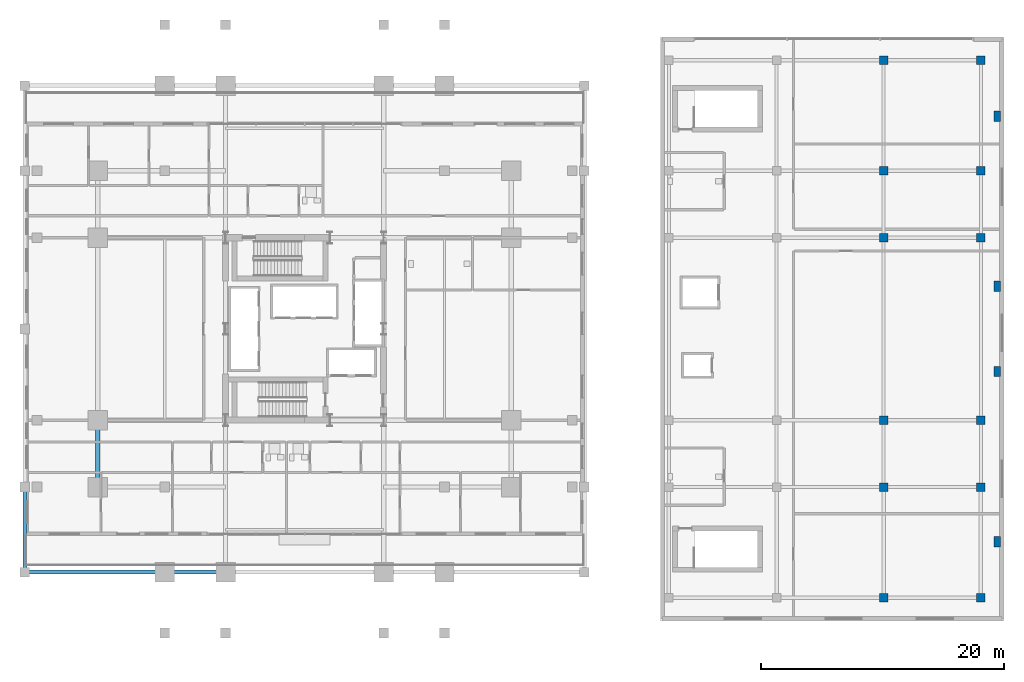
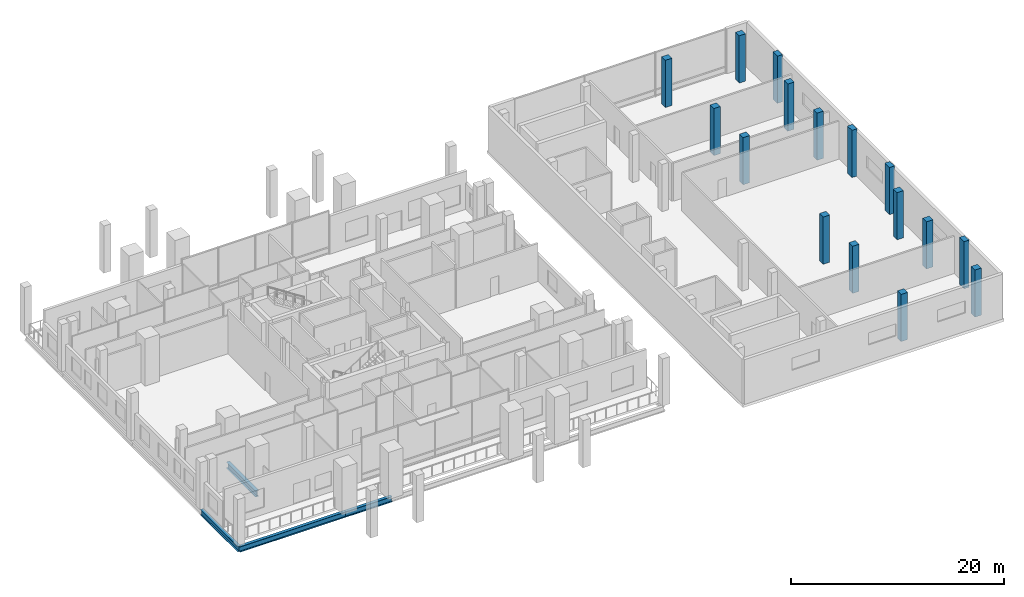
# One storey, part 2 of 25: 16 columns, 4 beams.
"""IFC4 building model written with IfcOpenShell, lengths in metres."""

import ifcopenshell
import ifcopenshell.guid

model = None  # the IFC model being written
_history = None  # IfcOwnerHistory: only IFC2X3 demands one
_inside = {}  # id of a spatial element -> (the spatial element, [elements in it])
_under = {}  # id of a project, library or spatial element -> (it, [spatial elements below it])
_declared = {}  # id of a project -> (the project, [libraries it declares])
_typed = {}  # id of a type object -> (the type object, [elements of that type])
_made_of = {}  # id of a material, layer set ... -> (it, [elements and type objects made of it])


def new_model(schema):
    """Start an empty IFC model of exactly this schema.

    Asked for "IFC4X3", IfcOpenShell would pick the latest addendum, in which some entities
    have other attributes; the version numbers below select the first issue.
    IFC2X3 requires an IfcOwnerHistory on every rooted entity: one is made here for all.
    """
    global model, _history
    if schema == "IFC4X3":
        model = ifcopenshell.file(schema_version=(4, 3, 0, 0))
    else:
        model = ifcopenshell.file(schema=schema)
    _inside.clear()
    _under.clear()
    _declared.clear()
    _typed.clear()
    _made_of.clear()
    _history = None
    if model.schema == "IFC2X3":
        org = make("IfcOrganization", Name="unknown")
        user = make(
            "IfcPersonAndOrganization",
            ThePerson=make("IfcPerson", FamilyName="unknown"),
            TheOrganization=org,
        )
        app = make(
            "IfcApplication",
            ApplicationDeveloper=org,
            Version="unknown",
            ApplicationFullName="unknown",
            ApplicationIdentifier="unknown",
        )
        _history = make(
            "IfcOwnerHistory",
            OwningUser=user,
            OwningApplication=app,
            ChangeAction="ADDED",
            CreationDate=0,
        )
    return model


def make(cls, **values):
    """One entity of the class cls with the attributes given. An attribute that is None is left unset."""
    return model.create_entity(
        cls, **{name: value for name, value in values.items() if value is not None}
    )


def rooted(cls, **values):
    """An entity with a GlobalId (a new one), such as an element, a storey or a relation."""
    return make(cls, GlobalId=ifcopenshell.guid.new(), OwnerHistory=_history, **values)


def si_unit(unit_type, name, prefix=None):
    """IfcSIUnit, for example si_unit("LENGTHUNIT", "METRE", prefix="MILLI")."""
    return make("IfcSIUnit", UnitType=unit_type, Prefix=prefix, Name=name)


def assignment(units):
    """IfcUnitAssignment: the units of a project."""
    return None if units is None else make("IfcUnitAssignment", Units=units)


def point(xyz):
    """IfcCartesianPoint."""
    return None if xyz is None else make("IfcCartesianPoint", Coordinates=xyz)


def direction(xyz):
    """IfcDirection."""
    return None if xyz is None else make("IfcDirection", DirectionRatios=xyz)


def frame(location, z_axis=None, x_axis=None):
    """IfcAxis2Placement3D, a coordinate frame: its origin and axes. An axis left out is left unset."""
    return make(
        "IfcAxis2Placement3D",
        Location=point(location),
        Axis=direction(z_axis),
        RefDirection=direction(x_axis),
    )


def frame_2d(location, x_axis=None):
    """IfcAxis2Placement2D, a coordinate frame in the plane: its origin and x axis."""
    return make(
        "IfcAxis2Placement2D", Location=point(location), RefDirection=direction(x_axis)
    )


def origin():
    """The frame at (0, 0, 0) with its axes left unset."""
    return frame((0.0, 0.0, 0.0))


def origin_2d():
    """The frame at (0, 0) in the plane with its x axis left unset."""
    return frame_2d((0.0, 0.0))


def place(relative_to, where):
    """IfcLocalPlacement: puts the frame where relative to a parent placement (None: the world)."""
    return make(
        "IfcLocalPlacement", PlacementRelTo=relative_to, RelativePlacement=where
    )


def context(
    kind, dimensions, precision=None, world=None, true_north=None, identifier=None
):
    """IfcGeometricRepresentationContext, for example the 3D "Model" context."""
    return make(
        "IfcGeometricRepresentationContext",
        ContextIdentifier=identifier,
        ContextType=kind,
        CoordinateSpaceDimension=dimensions,
        Precision=precision,
        WorldCoordinateSystem=world,
        TrueNorth=true_north,
    )


def subcontext(parent, identifier, kind, view, scale=None):
    """IfcGeometricRepresentationSubContext, for example "Body" below "Model"."""
    return make(
        "IfcGeometricRepresentationSubContext",
        ContextIdentifier=identifier,
        ContextType=kind,
        ParentContext=parent,
        TargetScale=scale,
        TargetView=view,
    )


def project(units=None, contexts=None):
    """IfcProject with its units and contexts."""
    return rooted(
        "IfcProject",
        Name="project",
        RepresentationContexts=contexts,
        UnitsInContext=assignment(units),
    )


def spatial(cls, under=None, at=None, **own):
    """A site, building, storey or space (cls), placed at a placement, below another one or the project."""
    s = rooted(cls, ObjectPlacement=at, **own)
    if under is not None:
        _under.setdefault(under.id(), (under, []))[1].append(s)
    return s


def profile(cls, at=None, kind="AREA", **sizes):
    """A parametric profile (cls). Its sizes go by their IFC names, for example OverallWidth=200.0."""
    return make(cls, ProfileType=kind, Position=at, **sizes)


def rectangle(**sizes):
    """IfcRectangleProfileDef."""
    return profile("IfcRectangleProfileDef", **sizes)


def i_section(**sizes):
    """IfcIShapeProfileDef."""
    return profile("IfcIShapeProfileDef", **sizes)


def extrude(swept, where, along, depth):
    """IfcExtrudedAreaSolid: the profile swept, set in the frame where, extruded along a direction by depth."""
    return make(
        "IfcExtrudedAreaSolid",
        SweptArea=swept,
        Position=where,
        ExtrudedDirection=direction(along),
        Depth=depth,
    )


def shape(context_of_items, identifier, shape_type, items):
    """IfcShapeRepresentation: the items that make up one representation, for example the "Body"."""
    return make(
        "IfcShapeRepresentation",
        ContextOfItems=context_of_items,
        RepresentationIdentifier=identifier,
        RepresentationType=shape_type,
        Items=items,
    )


def material(Name=None, Category=None):
    """IfcMaterial."""
    return make("IfcMaterial", Name=Name, Category=Category)


def material_profile(
    of_material, cross_section, Name=None, Category=None, Priority=None
):
    """IfcMaterialProfile: a cross section and its material."""
    return make(
        "IfcMaterialProfile",
        Name=Name,
        Material=of_material,
        Profile=cross_section,
        Priority=Priority,
        Category=Category,
    )


def profile_set(profiles, Name=None, composite=None):
    """IfcMaterialProfileSet."""
    return make(
        "IfcMaterialProfileSet",
        Name=Name,
        MaterialProfiles=profiles,
        CompositeProfile=composite,
    )


def made_of(thing, what):
    """Note that an element or type object is made of a material, layer set ...; save() writes the relation."""
    if what is not None:
        _made_of.setdefault(what.id(), (what, []))[1].append(thing)
    return thing


def type_object(cls, material=None, **own):
    """A type object (cls), such as IfcWallType, which elements share."""
    return made_of(rooted(cls, **own), material)


def element(
    cls,
    number,
    at=None,
    inside=None,
    cuts=None,
    type_object=None,
    material=None,
    context=None,
    identifier="Body",
    shape_type=None,
    held_by="IfcProductDefinitionShape",
    body=None,
    shapes=None,
    **own,
):
    """One element of the class cls, such as IfcWall. Its Tag is "e" and its number.

    at: its placement. inside: the storey or other place that contains it. cuts: it is an
    opening in that element (IfcRelVoidsElement). A single representation is given by context,
    identifier, shape_type and body (its items); several are given by shapes. held_by: the class
    of the entity that holds the representations. save() writes the other relations.
    """
    e = rooted(cls, Tag="e%d" % number, ObjectPlacement=at, **own)
    if body is not None:
        shapes = [shape(context, identifier, shape_type, body)]
    if shapes is not None:
        e.Representation = make(held_by, Representations=shapes)
    if inside is not None:
        _inside.setdefault(inside.id(), (inside, []))[1].append(e)
    if cuts is not None:
        rooted(
            "IfcRelVoidsElement", RelatingBuildingElement=cuts, RelatedOpeningElement=e
        )
    if type_object is not None:
        _typed.setdefault(type_object.id(), (type_object, []))[1].append(e)
    return made_of(e, material)


def aggregate(whole, parts):
    """IfcRelAggregates: a whole, such as a stair, and the parts it consists of."""
    return rooted("IfcRelAggregates", RelatingObject=whole, RelatedObjects=parts)


def save(model, path):
    """Write the relations noted so far, then the file.

    IfcRelAggregates (storeys below a building ...), IfcRelContainedInSpatialStructure (elements
    in a storey), IfcRelDefinesByType, IfcRelAssociatesMaterial and IfcRelDeclares: one each for
    every whole, place, type object, material and project.
    """
    for whole, parts in _under.values():
        aggregate(whole, parts)
    for where, things in _inside.values():
        rooted(
            "IfcRelContainedInSpatialStructure",
            RelatedElements=things,
            RelatingStructure=where,
        )
    for kind, things in _typed.values():
        rooted("IfcRelDefinesByType", RelatedObjects=things, RelatingType=kind)
    for what, things in _made_of.values():
        rooted("IfcRelAssociatesMaterial", RelatedObjects=things, RelatingMaterial=what)
    for by, libraries in _declared.values():
        rooted("IfcRelDeclares", RelatingContext=by, RelatedDefinitions=libraries)
    model.write(path)


model = new_model("IFC4")

# Units and contexts
model_context = context("Model", 3, precision=1e-05, world=origin(), true_north=direction((0.0, 1.0)))
body_context = subcontext(model_context, "Body", "Model", "MODEL_VIEW")
ifc_project = project(units=[si_unit("LENGTHUNIT", "METRE"), si_unit("AREAUNIT", "SQUARE_METRE"), si_unit("VOLUMEUNIT", "CUBIC_METRE"), si_unit("PLANEANGLEUNIT", "RADIAN"), si_unit("MASSUNIT", "GRAM", prefix="KILO")], contexts=[model_context])

# Site, building, storey
site_placement = place(None, origin())
site = spatial("IfcSite", under=ifc_project, at=site_placement, CompositionType="ELEMENT")
building_placement = place(site_placement, origin())
building = spatial("IfcBuilding", under=site, at=building_placement, Name="Barlavira Tower and Art Museum", CompositionType="ELEMENT")
storey_placement = place(building_placement, frame((0.0, 0.0, 22.199951171875)))
storey = spatial("IfcBuildingStorey", under=building, at=storey_placement, Name="L04", CompositionType="ELEMENT", Elevation=22.199951171875)

# Columns
ifc_material_1 = material(Name="Concrete C50", Category="concrete")
ifc_material_profile_1 = material_profile(ifc_material_1, rectangle(XDim=0.550048828125, YDim=0.85009765625, at=origin_2d()), Name="RC-PIL 550x850")
ifc_profile_set_1 = profile_set([ifc_material_profile_1], Name="Concrete C50")
column_type_1 = type_object("IfcColumnType", Name="Museum Coastal Facade Pilaster 550x850 Concrete C50", PredefinedType="PILASTER", material=ifc_profile_set_1)
for number, where, z_axis, x_axis, name in (
    (1, (56.949951171875, -17.5, 0.0), (0.0, 0.0, 1.0), (1.0, 0.0, 0.0), "L04 Museum Facade Pilaster 1"),
    (2, (56.949951171875, -3.5, 0.0), (0.0, 0.0, 1.0), (1.0, 0.0, 0.0), "L04 Museum Facade Pilaster 2"),
    (3, (56.949951171875, 3.5, 0.0), (0.0, 0.0, 1.0), (1.0, 0.0, 0.0), "L04 Museum Facade Pilaster 3"),
    (4, (56.949951171875, 17.5, 0.0), (0.0, 0.0, 1.0), (1.0, 0.0, 0.0), "L04 Museum Facade Pilaster 4"),
):
    element("IfcColumn", number, at=place(storey_placement, frame(where, z_axis=z_axis, x_axis=x_axis)), inside=storey, type_object=column_type_1, Name=name, PredefinedType="PILASTER", context=body_context, shape_type="SweptSolid", body=[
        extrude(rectangle(XDim=0.550048828125, YDim=0.85009765625, at=origin_2d()), origin(), (0.0, 0.0, 1.0), 5.400146484375),
    ])
ifc_material_profile_2 = material_profile(ifc_material_1, rectangle(XDim=0.699951171875, YDim=0.699951171875, at=origin_2d()), Name="RC-COL 700x700")
ifc_profile_set_2 = profile_set([ifc_material_profile_2], Name="Concrete C50")
column_type_2 = type_object("IfcColumnType", Name="Museum Frame Column 700x700 Concrete C50", PredefinedType="COLUMN", material=ifc_profile_set_2)
for number, where, z_axis, x_axis, name in (
    (5, (47.60009765625, -22.10009765625, 0.0), (0.0, 0.0, 1.0), (1.0, 0.0, 0.0), "L04 Museum Column 3-1"),
    (6, (47.60009765625, -13.0, 0.0), (0.0, 0.0, 1.0), (1.0, 0.0, 0.0), "L04 Museum Column 3-2"),
    (7, (47.60009765625, -7.5, 0.0), (0.0, 0.0, 1.0), (1.0, 0.0, 0.0), "L04 Museum Column 3-3"),
    (8, (47.60009765625, 7.5, 0.0), (0.0, 0.0, 1.0), (1.0, 0.0, 0.0), "L04 Museum Column 3-4"),
    (9, (47.60009765625, 13.0, 0.0), (0.0, 0.0, 1.0), (1.0, 0.0, 0.0), "L04 Museum Column 3-5"),
    (10, (47.60009765625, 22.10009765625, 0.0), (0.0, 0.0, 1.0), (1.0, 0.0, 0.0), "L04 Museum Column 3-6"),
    (11, (55.60009765625, -22.10009765625, 0.0), (0.0, 0.0, 1.0), (1.0, 0.0, 0.0), "L04 Museum Column 4-1"),
    (12, (55.60009765625, -13.0, 0.0), (0.0, 0.0, 1.0), (1.0, 0.0, 0.0), "L04 Museum Column 4-2"),
    (13, (55.60009765625, -7.5, 0.0), (0.0, 0.0, 1.0), (1.0, 0.0, 0.0), "L04 Museum Column 4-3"),
    (14, (55.60009765625, 7.5, 0.0), (0.0, 0.0, 1.0), (1.0, 0.0, 0.0), "L04 Museum Column 4-4"),
    (15, (55.60009765625, 13.0, 0.0), (0.0, 0.0, 1.0), (1.0, 0.0, 0.0), "L04 Museum Column 4-5"),
    (16, (55.60009765625, 22.10009765625, 0.0), (0.0, 0.0, 1.0), (1.0, 0.0, 0.0), "L04 Museum Column 4-6"),
):
    element("IfcColumn", number, at=place(storey_placement, frame(where, z_axis=z_axis, x_axis=x_axis)), inside=storey, type_object=column_type_2, Name=name, PredefinedType="COLUMN", context=body_context, shape_type="SweptSolid", body=[
        extrude(rectangle(XDim=0.699951171875, YDim=0.699951171875, at=origin_2d()), origin(), (0.0, 0.0, 1.0), 5.400146484375),
    ])

# Beams
ifc_material_2 = material(Name="Steel S355", Category="steel")
ifc_material_profile_3 = material_profile(ifc_material_2, i_section(OverallWidth=0.327880859375, OverallDepth=0.62890625, WebThickness=0.013916015625, FlangeThickness=0.021484375, at=origin_2d()), Name="W610x174.0")
ifc_profile_set_3 = profile_set([ifc_material_profile_3], Name="Steel S355")
beam_type_1 = type_object("IfcBeamType", Name="Perimeter Spandrel Edge Beam W610x174 Steel S355", PredefinedType="SPANDREL", material=ifc_profile_set_3)
beam_1_placement = place(storey_placement, frame((-23.0, -20.0, -0.594482421875), z_axis=(1.0, 0.0, 0.0), x_axis=(0.0, 1.0, 0.0)))
element("IfcBeam", 17, at=beam_1_placement, inside=storey, type_object=beam_type_1, Name="L04 Podium Spandrel PS1", PredefinedType="SPANDREL", context=body_context, shape_type="SweptSolid", body=[
    extrude(i_section(OverallWidth=0.327880859375, OverallDepth=0.62890625, WebThickness=0.013916015625, FlangeThickness=0.021484375, at=origin_2d()), origin(), (0.0, 0.0, 1.0), 11.5),
])
beam_2_placement = place(storey_placement, frame((-11.5, -20.0, -0.594482421875), z_axis=(1.0, 0.0, 0.0), x_axis=(0.0, 1.0, 0.0)))
element("IfcBeam", 18, at=beam_2_placement, inside=storey, type_object=beam_type_1, Name="L04 Podium Spandrel PS2", PredefinedType="SPANDREL", context=body_context, shape_type="SweptSolid", body=[
    extrude(i_section(OverallWidth=0.327880859375, OverallDepth=0.62890625, WebThickness=0.013916015625, FlangeThickness=0.021484375, at=origin_2d()), origin(), (0.0, 0.0, 1.0), 5.0),
])
beam_3_placement = place(storey_placement, frame((-23.0, -20.0, -0.594482421875), z_axis=(0.0, 1.0, 0.0), x_axis=(-1.0, 0.0, 0.0)))
element("IfcBeam", 19, at=beam_3_placement, inside=storey, type_object=beam_type_1, Name="L04 Podium Spandrel PW1", PredefinedType="SPANDREL", context=body_context, shape_type="SweptSolid", body=[
    extrude(i_section(OverallWidth=0.327880859375, OverallDepth=0.62890625, WebThickness=0.013916015625, FlangeThickness=0.021484375, at=origin_2d()), origin(), (0.0, 0.0, 1.0), 7.0),
])
ifc_material_profile_4 = material_profile(ifc_material_2, i_section(OverallWidth=0.35595703125, OverallDepth=0.695068359375, WebThickness=0.014892578125, FlangeThickness=0.023681640625, at=origin_2d()), Name="W690x192.0")
ifc_profile_set_4 = profile_set([ifc_material_profile_4], Name="Steel S355")
beam_type_2 = type_object("IfcBeamType", Name="Podium Primary Girder W690x192 Steel S355", PredefinedType="BEAM", material=ifc_profile_set_4)
beam_4_placement = place(storey_placement, frame((-17.0, -13.0, -0.62744140625), z_axis=(0.0, 1.0, 0.0), x_axis=(-1.0, 0.0, 0.0)))
element("IfcBeam", 20, at=beam_4_placement, inside=storey, type_object=beam_type_2, Name="L04 Girder M-W1", PredefinedType="BEAM", context=body_context, shape_type="SweptSolid", body=[
    extrude(i_section(OverallWidth=0.35595703125, OverallDepth=0.695068359375, WebThickness=0.014892578125, FlangeThickness=0.023681640625, at=origin_2d()), origin(), (0.0, 0.0, 1.0), 5.5),
])

save(model, "model.ifc")
